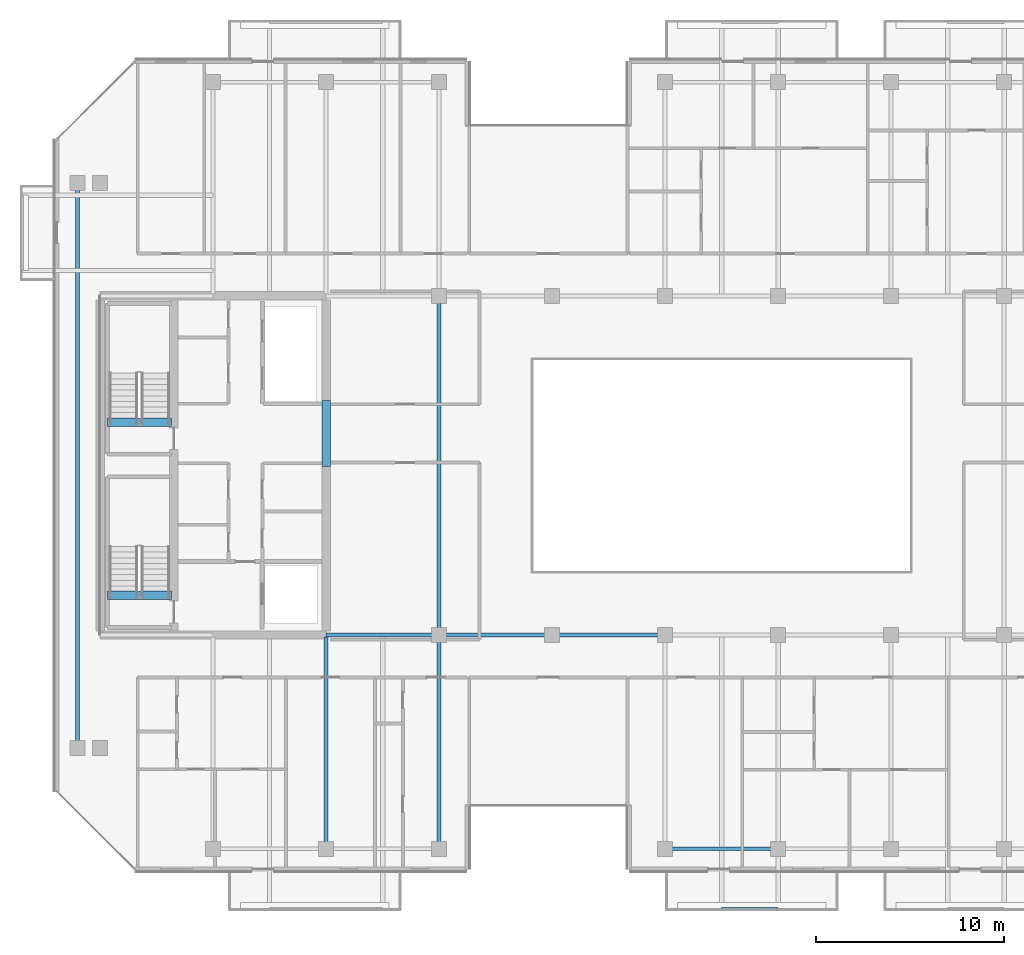
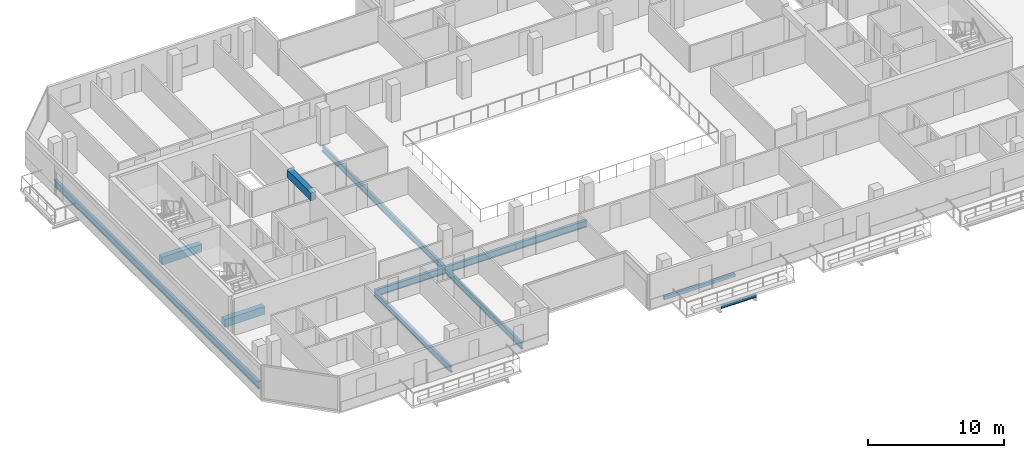
# One storey, part 5 of 29: 12 beams.
"""IFC4 building model written with IfcOpenShell, lengths in metres."""

from ifc_helpers import new_model, si_unit, direction, frame, origin, origin_2d, place, context, subcontext, project, spatial, rectangle, hollow_rectangle, i_section, extrude, material, material_profile, profile_set, type_object, element, save


model = new_model("IFC4")

# Units and contexts
model_context = context("Model", 3, precision=1e-05, world=origin(), true_north=direction((0.0, 1.0)))
body_context = subcontext(model_context, "Body", "Model", "MODEL_VIEW")
ifc_project = project(units=[si_unit("LENGTHUNIT", "METRE"), si_unit("AREAUNIT", "SQUARE_METRE"), si_unit("VOLUMEUNIT", "CUBIC_METRE"), si_unit("PLANEANGLEUNIT", "RADIAN"), si_unit("MASSUNIT", "GRAM", prefix="KILO")], contexts=[model_context])

# Site, building, storey
site_placement = place(None, origin())
site = spatial("IfcSite", under=ifc_project, at=site_placement, CompositionType="ELEMENT")
building_placement = place(site_placement, origin())
building = spatial("IfcBuilding", under=site, at=building_placement, Name="Tanjung Sevakor Pilgrim Tower", CompositionType="ELEMENT")
storey_placement = place(building_placement, frame((0.0, 0.0, 188.429931640625)))
storey = spatial("IfcBuildingStorey", under=building, at=storey_placement, Name="L52", CompositionType="ELEMENT", Elevation=188.429931640625)

# Beams
ifc_material_1 = material(Name="Steel S355J2", Category="steel")
ifc_material_profile_1 = material_profile(ifc_material_1, i_section(OverallWidth=0.22900390625, OverallDepth=0.6123046875, WebThickness=0.011962890625, FlangeThickness=0.01953125, FilletRadius=0.0126953125, at=origin_2d()))
ifc_profile_set_1 = profile_set([ifc_material_profile_1], Name="Steel S355J2")
beam_type_1 = type_object("IfcBeamType", Name="BM-B-G4-UB_610x229x125", PredefinedType="BEAM", material=ifc_profile_set_1)
beam_1_placement = place(storey_placement, frame((22.800048828125, 18.60009765625, -0.526123046875), z_axis=(0.0, 1.0, 0.0), x_axis=(-1.0, 0.0, 0.0)))
element("IfcBeam", 1, at=beam_1_placement, inside=storey, type_object=beam_type_1, Name="L52 Short-End Edge Girder W", PredefinedType="BEAM", context=body_context, shape_type="SweptSolid", body=[
    extrude(i_section(OverallWidth=0.22900390625, OverallDepth=0.6123046875, WebThickness=0.011962890625, FlangeThickness=0.01953125, FilletRadius=0.0126953125, at=origin_2d()), origin(), (0.0, 0.0, 1.0), 30.0),
])
for number, where, z_axis, x_axis, name in (
    (2, (36.0, 24.60009765625, -0.526123046875), (1.0, 0.0, 0.0), (0.0, 1.0, 0.0), "L52 Primary Floor Girder MAIN Y246-02"),
    (3, (42.0, 24.60009765625, -0.526123046875), (1.0, 0.0, 0.0), (0.0, 1.0, 0.0), "L52 Primary Floor Girder MAIN Y246-03"),
    (4, (48.0, 24.60009765625, -0.526123046875), (1.0, 0.0, 0.0), (0.0, 1.0, 0.0), "L52 Primary Floor Girder MAIN Y246-04"),
):
    element("IfcBeam", number, at=place(storey_placement, frame(where, z_axis=z_axis, x_axis=x_axis)), inside=storey, type_object=beam_type_1, Name=name, PredefinedType="BEAM", context=body_context, shape_type="SweptSolid", body=[
        extrude(i_section(OverallWidth=0.22900390625, OverallDepth=0.6123046875, WebThickness=0.011962890625, FlangeThickness=0.01953125, FilletRadius=0.0126953125, at=origin_2d()), origin(), (0.0, 0.0, 1.0), 6.0),
    ])
ifc_material_2 = material(Name="Steel S355J2", Category="steel")
ifc_material_profile_2 = material_profile(ifc_material_2, i_section(OverallWidth=0.2119140625, OverallDepth=0.54443359375, WebThickness=0.0126953125, FlangeThickness=0.021240234375, FilletRadius=0.0126953125, at=origin_2d()))
ifc_profile_set_2 = profile_set([ifc_material_profile_2], Name="Steel S355J2")
beam_type_2 = type_object("IfcBeamType", Name="BM-B-G5-UB_533x210x122", PredefinedType="BEAM", material=ifc_profile_set_2)
beam_2_placement = place(storey_placement, frame((36.0, 13.25, -0.4921875), z_axis=(0.0, 1.0, 0.0), x_axis=(-1.0, 0.0, 0.0)))
element("IfcBeam", 5, at=beam_2_placement, inside=storey, type_object=beam_type_2, Name="L52 MAIN Girder 003", PredefinedType="BEAM", context=body_context, shape_type="SweptSolid", body=[
    extrude(i_section(OverallWidth=0.2119140625, OverallDepth=0.54443359375, WebThickness=0.0126953125, FlangeThickness=0.021240234375, FilletRadius=0.0126953125, at=origin_2d()), origin(), (0.0, 0.0, 1.0), 11.235595703125),
])
beam_3_placement = place(storey_placement, frame((42.0, 13.25, -0.4921875), z_axis=(0.0, 1.0, 0.0), x_axis=(-1.0, 0.0, 0.0)))
element("IfcBeam", 6, at=beam_3_placement, inside=storey, type_object=beam_type_2, Name="L52 MAIN Girder 005", PredefinedType="BEAM", context=body_context, shape_type="SweptSolid", body=[
    extrude(i_section(OverallWidth=0.2119140625, OverallDepth=0.54443359375, WebThickness=0.0126953125, FlangeThickness=0.021240234375, FilletRadius=0.0126953125, at=origin_2d()), origin(), (0.0, 0.0, 1.0), 11.35009765625),
])
beam_4_placement = place(storey_placement, frame((42.0, 24.60009765625, -0.4921875), z_axis=(0.0, 1.0, 0.0), x_axis=(-1.0, 0.0, 0.0)))
element("IfcBeam", 7, at=beam_4_placement, inside=storey, type_object=beam_type_2, Name="L52 MAIN Girder 006", PredefinedType="BEAM", context=body_context, shape_type="SweptSolid", body=[
    extrude(i_section(OverallWidth=0.2119140625, OverallDepth=0.54443359375, WebThickness=0.0126953125, FlangeThickness=0.021240234375, FilletRadius=0.0126953125, at=origin_2d()), origin(), (0.0, 0.0, 1.0), 18.0),
])
ifc_material_3 = material(Name="Steel S355J2", Category="steel")
ifc_material_profile_3 = material_profile(ifc_material_3, i_section(OverallWidth=0.146484375, OverallDepth=0.256103515625, WebThickness=0.00634765625, FlangeThickness=0.010986328125, FilletRadius=0.007568359375, at=origin_2d()))
ifc_profile_set_3 = profile_set([ifc_material_profile_3], Name="Steel S355J2")
beam_type_3 = type_object("IfcBeamType", Name="BM-B-J6-UB_254x146x37", PredefinedType="JOIST", material=ifc_profile_set_3)
beam_5_placement = place(storey_placement, frame((57.0, 10.070068359375, -0.327880859375), z_axis=(1.0, 0.0, 0.0), x_axis=(0.0, 1.0, 0.0)))
element("IfcBeam", 8, at=beam_5_placement, inside=storey, type_object=beam_type_3, Name="L52 Balcony Rim Tie MAIN-S2", PredefinedType="JOIST", context=body_context, shape_type="SweptSolid", body=[
    extrude(i_section(OverallWidth=0.146484375, OverallDepth=0.256103515625, WebThickness=0.00634765625, FlangeThickness=0.010986328125, FilletRadius=0.007568359375, at=origin_2d()), origin(), (0.0, 0.0, 1.0), 3.0),
])
ifc_material_4 = material(Name="Concrete C60/75", Category="concrete")
ifc_material_profile_4 = material_profile(ifc_material_4, rectangle(XDim=0.449951171875, YDim=0.699951171875, at=origin_2d()))
ifc_profile_set_4 = profile_set([ifc_material_profile_4], Name="Concrete C60/75")
beam_type_4 = type_object("IfcBeamType", Name="BM-B-LN3-RC-BM_450x700", PredefinedType="LINTEL", material=ifc_profile_set_4)
beam_6_placement = place(storey_placement, frame((36.0, 33.550048828125, 2.72998046875), z_axis=(0.0, 1.0, 0.0), x_axis=(-1.0, 0.0, 0.0)))
element("IfcBeam", 9, at=beam_6_placement, inside=storey, type_object=beam_type_4, Name="L52 W Core Coupling Lintel", PredefinedType="LINTEL", context=body_context, shape_type="SweptSolid", body=[
    extrude(rectangle(XDim=0.449951171875, YDim=0.699951171875, at=origin_2d()), origin(), (0.0, 0.0, 1.0), 3.5),
])
for number, where, z_axis, x_axis, name in (
    (10, (24.39990234375, 26.699951171875, -0.349853515625), (1.0, 0.0, 0.0), (0.0, 1.0, 0.0), "L52 TS-W1 Stair Threshold Beam"),
    (11, (24.39990234375, 35.89990234375, -0.349853515625), (1.0, 0.0, 0.0), (0.0, 1.0, 0.0), "L52 TS-W2 Stair Threshold Beam"),
):
    element("IfcBeam", number, at=place(storey_placement, frame(where, z_axis=z_axis, x_axis=x_axis)), inside=storey, type_object=beam_type_4, Name=name, PredefinedType="LINTEL", context=body_context, shape_type="SweptSolid", body=[
        extrude(rectangle(XDim=0.449951171875, YDim=0.699951171875, at=origin_2d()), origin(), (0.0, 0.0, 1.0), 3.400146484375),
    ])
ifc_material_5 = material(Name="Steel S355J2", Category="steel")
ifc_material_profile_5 = material_profile(ifc_material_5, hollow_rectangle(XDim=0.199951171875, YDim=0.300048828125, WallThickness=0.012451171875, at=origin_2d()))
ifc_profile_set_5 = profile_set([ifc_material_profile_5], Name="Steel S355J2")
beam_type_5 = type_object("IfcBeamType", Name="BM-B-SP3-RHS_300x200x12.5", PredefinedType="SPANDREL", material=ifc_profile_set_5)
beam_7_placement = place(storey_placement, frame((54.0, 13.25, -0.369873046875), z_axis=(1.0, 0.0, 0.0), x_axis=(0.0, 1.0, 0.0)))
element("IfcBeam", 12, at=beam_7_placement, inside=storey, type_object=beam_type_5, Name="L52 Spandrel MAIN S-05", PredefinedType="SPANDREL", context=body_context, shape_type="SweptSolid", body=[
    extrude(hollow_rectangle(XDim=0.199951171875, YDim=0.300048828125, WallThickness=0.012451171875, at=origin_2d()), origin(), (0.0, 0.0, 1.0), 6.0),
])

save(model, "model.ifc")
